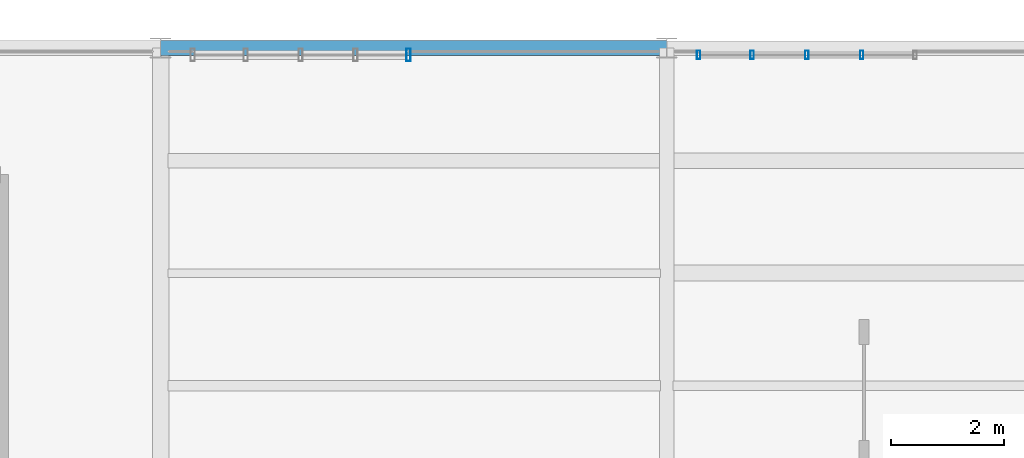
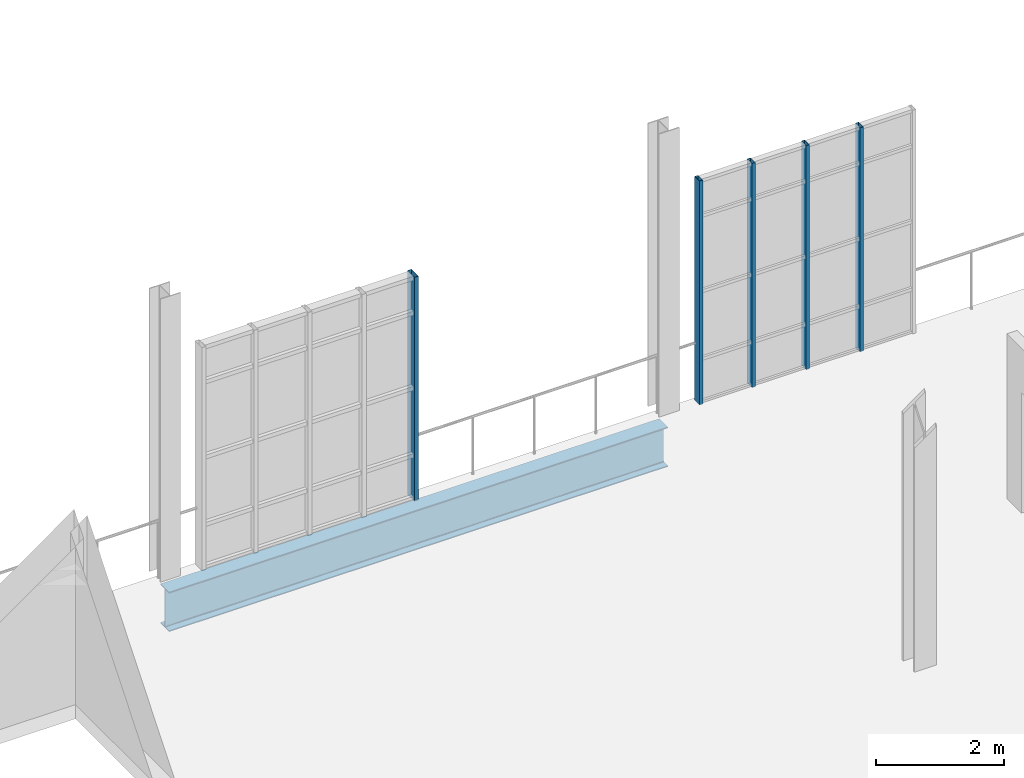
# One storey, part 66 of 142: 5 members, 1 beam, 2 elements without a shape of their own.
"""IFC4 building model written with IfcOpenShell, lengths in metres."""

from ifc_helpers import new_model, si_unit, direction, frame, origin, origin_2d, place, context, subcontext, project, spatial, hollow_rectangle, i_section, extrude, material, layer, layer_set, material_profile, profile_set, type_object, element, aggregate, save


model = new_model("IFC4")

# Units and contexts
model_context = context("Model", 3, precision=1e-05, world=origin(), true_north=direction((0.0, 1.0)))
body_context = subcontext(model_context, "Body", "Model", "MODEL_VIEW")
ifc_project = project(units=[si_unit("LENGTHUNIT", "METRE"), si_unit("AREAUNIT", "SQUARE_METRE"), si_unit("VOLUMEUNIT", "CUBIC_METRE"), si_unit("PLANEANGLEUNIT", "RADIAN"), si_unit("MASSUNIT", "GRAM", prefix="KILO"), si_unit("THERMODYNAMICTEMPERATUREUNIT", "KELVIN"), si_unit("POWERUNIT", "WATT")], contexts=[model_context])

# Site, building, storey
site_placement = place(None, origin())
site = spatial("IfcSite", under=ifc_project, at=site_placement, CompositionType="ELEMENT")
building_placement = place(site_placement, origin())
building = spatial("IfcBuilding", under=site, at=building_placement, Name="Zelmaris Science Centre", CompositionType="ELEMENT")
storey_placement = place(building_placement, frame((0.0, 0.0, 5.39990234375)))
storey = spatial("IfcBuildingStorey", under=building, at=storey_placement, Name="L01", CompositionType="ELEMENT", Elevation=5.39990234375)

# Curtain wall, members
ifc_material_1 = material(Name="Anodised architectural aluminium 6063-T6", Category="aluminium")
ifc_layer_1 = layer(ifc_material_1, 0.219970703125, Name="Anodised architectural aluminium 6063-T6")
ifc_layer_set_1 = layer_set([ifc_layer_1], Name="Anodised architectural aluminium 6063-T6")
curtain_wall_type_1 = type_object("IfcCurtainWallType", Name="Curtain Wall CW-04", PredefinedType="USERDEFINED", material=ifc_layer_set_1)
curtain_wall_1_placement = place(storey_placement, origin())
curtain_wall_1 = element("IfcCurtainWall", 1, at=curtain_wall_1_placement, inside=storey, type_object=curtain_wall_type_1, Name="L01 Unitised curtain wall 136", ObjectType="GLAZED CURTAIN WALL", PredefinedType="USERDEFINED")
ifc_material_profile_1 = material_profile(ifc_material_1, hollow_rectangle(XDim=0.06005859375, YDim=0.14990234375, WallThickness=0.00341796875, at=origin_2d()), Name="ALU-MUL-60X150")
ifc_profile_set_1 = profile_set([ifc_material_profile_1], Name="Anodised architectural aluminium 6063-T6")
member_type_1 = type_object("IfcMemberType", Name="ALU-MUL-60X150", PredefinedType="MULLION", material=ifc_profile_set_1)
member_1_placement = place(storey_placement, frame((81.56591796875, 87.8798828125, -0.014892578125), z_axis=(0.0, 0.0, 1.0), x_axis=(1.0, 0.0, 0.0)))
member_1 = element("IfcMember", 2, at=member_1_placement, type_object=member_type_1, Name="CW-04 mullion 1", PredefinedType="MULLION", context=body_context, shape_type="SweptSolid", body=[
    extrude(hollow_rectangle(XDim=0.06005859375, YDim=0.14990234375, WallThickness=0.00341796875, at=origin_2d()), origin(), (0.0, 0.0, 1.0), 4.279052734375),
])
member_2_placement = place(storey_placement, frame((82.514892578125, 87.8798828125, -0.014892578125), z_axis=(0.0, 0.0, 1.0), x_axis=(1.0, 0.0, 0.0)))
member_2 = element("IfcMember", 3, at=member_2_placement, type_object=member_type_1, Name="CW-04 mullion 2", PredefinedType="MULLION", context=body_context, shape_type="SweptSolid", body=[
    extrude(hollow_rectangle(XDim=0.06005859375, YDim=0.14990234375, WallThickness=0.00341796875, at=origin_2d()), origin(), (0.0, 0.0, 1.0), 4.279052734375),
])
member_3_placement = place(storey_placement, frame((83.489990234375, 87.8798828125, -0.014892578125), z_axis=(0.0, 0.0, 1.0), x_axis=(1.0, 0.0, 0.0)))
member_3 = element("IfcMember", 4, at=member_3_placement, type_object=member_type_1, Name="CW-04 mullion 3", PredefinedType="MULLION", context=body_context, shape_type="SweptSolid", body=[
    extrude(hollow_rectangle(XDim=0.06005859375, YDim=0.14990234375, WallThickness=0.00341796875, at=origin_2d()), origin(), (0.0, 0.0, 1.0), 4.279052734375),
])
member_4_placement = place(storey_placement, frame((84.465087890625, 87.8798828125, -0.014892578125), z_axis=(0.0, 0.0, 1.0), x_axis=(1.0, 0.0, 0.0)))
member_4 = element("IfcMember", 5, at=member_4_placement, type_object=member_type_1, Name="CW-04 mullion 4", PredefinedType="MULLION", context=body_context, shape_type="SweptSolid", body=[
    extrude(hollow_rectangle(XDim=0.06005859375, YDim=0.14990234375, WallThickness=0.00341796875, at=origin_2d()), origin(), (0.0, 0.0, 1.0), 4.279052734375),
])
aggregate(curtain_wall_1, [member_1, member_2, member_3, member_4])

# Curtain wall, member
ifc_layer_2 = layer(ifc_material_1, 0.199951171875, Name="Anodised architectural aluminium 6063-T6")
ifc_layer_set_2 = layer_set([ifc_layer_2], Name="Anodised architectural aluminium 6063-T6")
curtain_wall_type_2 = type_object("IfcCurtainWallType", Name="Curtain Wall CW-02", PredefinedType="USERDEFINED", material=ifc_layer_set_2)
curtain_wall_2_placement = place(storey_placement, origin())
curtain_wall_2 = element("IfcCurtainWall", 6, at=curtain_wall_2_placement, inside=storey, type_object=curtain_wall_type_2, Name="L01 Unitised curtain wall 134", ObjectType="GLAZED CURTAIN WALL", PredefinedType="USERDEFINED")
ifc_material_profile_2 = material_profile(ifc_material_1, hollow_rectangle(XDim=0.074951171875, YDim=0.219970703125, WallThickness=0.0048828125, at=origin_2d()), Name="ALU-MUL-75X220")
ifc_profile_set_2 = profile_set([ifc_material_profile_2], Name="Anodised architectural aluminium 6063-T6")
member_type_2 = type_object("IfcMemberType", Name="ALU-MUL-75X220", PredefinedType="MULLION", material=ifc_profile_set_2)
member_5_placement = place(storey_placement, frame((76.406494140625, 87.8798828125, -0.014892578125), z_axis=(0.0, 0.0, 1.0), x_axis=(1.0, 0.0, 0.0)))
member_5 = element("IfcMember", 7, at=member_5_placement, type_object=member_type_2, Name="CW-02 mullion 5", PredefinedType="MULLION", context=body_context, shape_type="SweptSolid", body=[
    extrude(hollow_rectangle(XDim=0.074951171875, YDim=0.219970703125, WallThickness=0.0048828125, at=origin_2d()), origin(), (0.0, 0.0, 1.0), 4.26904296875),
])
aggregate(curtain_wall_2, [member_5])

# Beam
ifc_material_2 = material(Name="Steel ASTM A992 Grade 50", Category="steel")
ifc_material_profile_3 = material_profile(ifc_material_2, i_section(OverallWidth=0.26708984375, OverallDepth=0.757080078125, WebThickness=0.013916015625, FlangeThickness=0.019287109375, FilletRadius=0.01904296875, at=origin_2d()), Name="W30X108")
ifc_profile_set_3 = profile_set([ifc_material_profile_3], Name="Steel ASTM A992 Grade 50")
beam_type = type_object("IfcBeamType", Name="Beam G-10 W30X108", PredefinedType="BEAM", material=ifc_profile_set_3)
beam_placement = place(storey_placement, frame((72.0, 88.0, -0.658447265625), z_axis=(1.0, 0.0, 0.0), x_axis=(0.0, 1.0, 0.0)))
element("IfcBeam", 8, at=beam_placement, inside=storey, type_object=beam_type, Name="L01 East-west girder 408", PredefinedType="BEAM", context=body_context, shape_type="SweptSolid", body=[
    extrude(i_section(OverallWidth=0.26708984375, OverallDepth=0.757080078125, WebThickness=0.013916015625, FlangeThickness=0.019287109375, FilletRadius=0.01904296875, at=origin_2d()), origin(), (0.0, 0.0, 1.0), 9.0),
])

save(model, "model.ifc")
